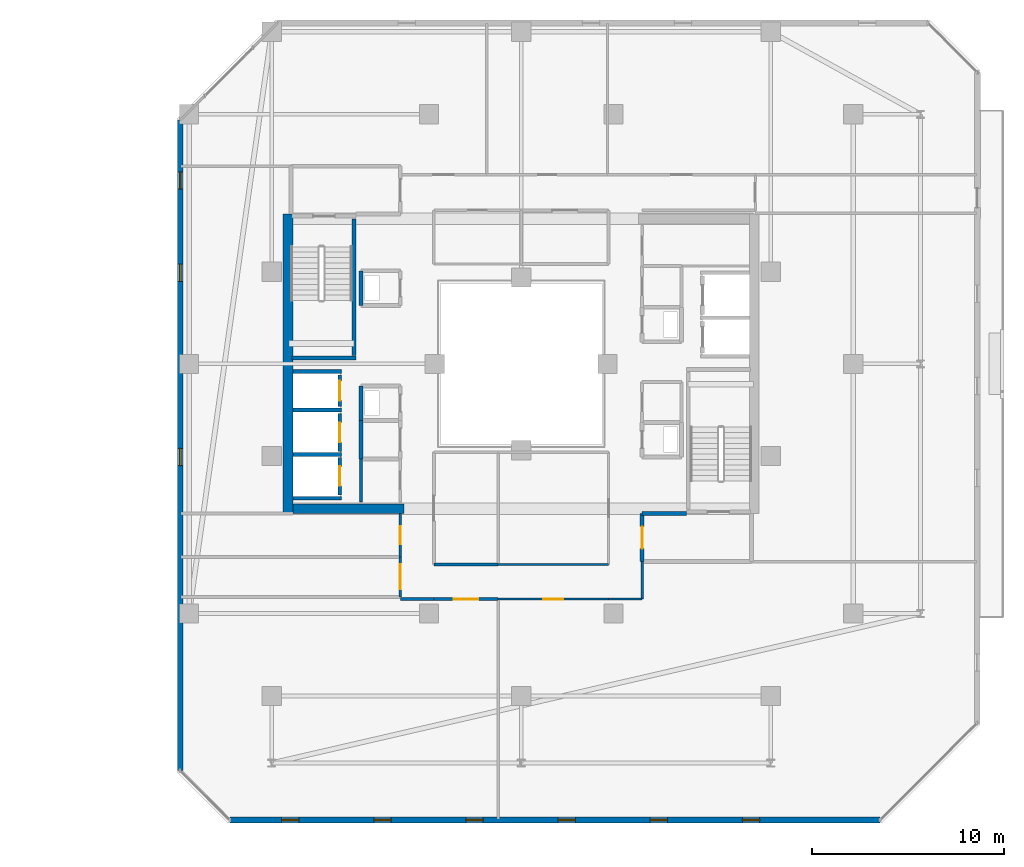
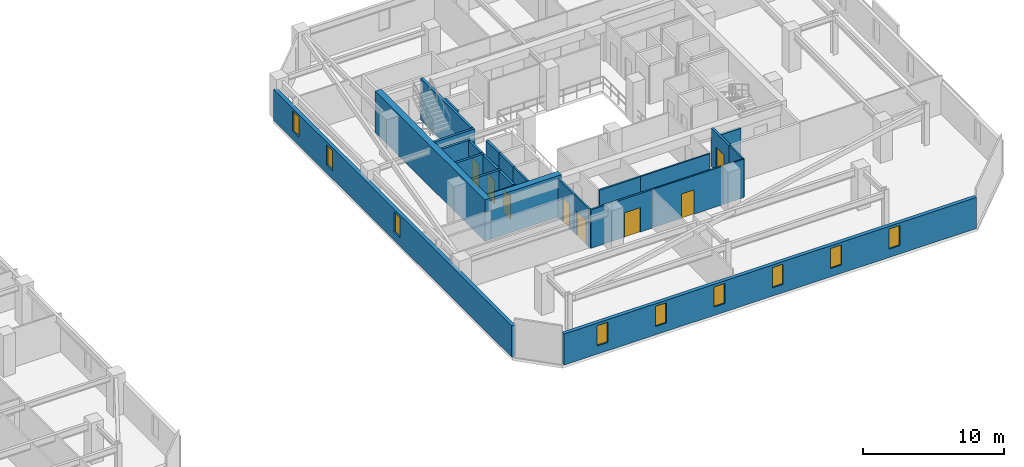
# One storey, part 22 of 32: 28 walls, 9 windows, 8 doors, 17 openings.
"""IFC4 building model written with IfcOpenShell, lengths in metres."""

from ifc_helpers import new_model, si_unit, direction, frame, frame_2d, origin, place, context, subcontext, project, spatial, rectangle, extrude, material, layer, layer_set, type_object, element, fill, save


model = new_model("IFC4")

# Units and contexts
model_context = context("Model", 3, precision=1e-05, world=origin(), true_north=direction((0.0, 1.0)))
body_context = subcontext(model_context, "Body", "Model", "MODEL_VIEW")
ifc_project = project(units=[si_unit("LENGTHUNIT", "METRE"), si_unit("AREAUNIT", "SQUARE_METRE"), si_unit("VOLUMEUNIT", "CUBIC_METRE"), si_unit("PLANEANGLEUNIT", "RADIAN"), si_unit("MASSUNIT", "GRAM", prefix="KILO")], contexts=[model_context])

# Site, building, storey
site_placement = place(None, origin())
site = spatial("IfcSite", under=ifc_project, at=site_placement, CompositionType="ELEMENT")
building_placement = place(site_placement, origin())
building = spatial("IfcBuilding", under=site, at=building_placement, Name="Thornwick Lancets Civic Towers", CompositionType="ELEMENT")
storey_placement = place(building_placement, frame((0.0, 0.0, 243.89990234375)))
storey = spatial("IfcBuildingStorey", under=building, at=storey_placement, Name="L65", CompositionType="ELEMENT", Elevation=243.89990234375)

# Wall, opening, door
ifc_material_1 = material(Name="Concrete blockwork C40/50", Category="masonry")
ifc_layer_1 = layer(ifc_material_1, 0.199951171875, Name="Concrete blockwork C40/50")
ifc_layer_set_1 = layer_set([ifc_layer_1], Name="Concrete blockwork C40/50")
wall_type_1 = type_object("IfcWallType", Name="WALL_COMP_200", PredefinedType="STANDARD", material=ifc_layer_set_1)
wall_1_placement = place(storey_placement, frame((79.050048828125, 24.780029296875, 0.0), z_axis=(0.0, 0.0, 1.0), x_axis=(0.0, 1.0, 0.0)))
wall_1 = element("IfcWall", 1, at=wall_1_placement, inside=storey, type_object=wall_type_1, Name="L65 Hoistway Front Wall FL-B2", PredefinedType="STANDARD", context=body_context, shape_type="SweptSolid", body=[
    extrude(rectangle(XDim=1.639892578125, YDim=0.199951171875, at=frame_2d((0.81982421875, 0.0))), origin(), (0.0, 0.0, 1.0), 3.340087890625),
])
opening_1_placement = place(wall_1_placement, frame((0.31005859375, 0.0, 0.0)))
opening_1 = element("IfcOpeningElement", 2, at=opening_1_placement, cuts=wall_1, Name="Opening LD-FL-B2", PredefinedType="OPENING", context=body_context, shape_type="SweptSolid", body=[
    extrude(rectangle(XDim=1.02001953125, YDim=2.06005859375, at=frame_2d((0.510009765625, 1.030029296875))), frame((0.0, 0.10986328125, 0.0), z_axis=(0.0, -1.0, 0.0), x_axis=(1.0, 0.0, 0.0)), (0.0, 0.0, 1.0), 0.219970703125),
])
ifc_material_2 = material(Name="Brushed bronze stainless steel", Category="steel")
door_type_1 = type_object("IfcDoorType", Name="DOOR_LIFT_SLIDE", OperationType="SLIDING_TO_LEFT", PredefinedType="DOOR", material=ifc_material_2)
door_1_placement = place(opening_1_placement, origin())
door_1 = element("IfcDoor", 3, at=door_1_placement, inside=storey, type_object=door_type_1, Name="L65 Sliding Lift Landing Door LD-FL-B2", OperationType="SLIDING_TO_LEFT", OverallHeight=2.06005859375, OverallWidth=1.02001953125, PredefinedType="DOOR", context=body_context, shape_type="SweptSolid", body=[
    extrude(rectangle(XDim=1.02001953125, YDim=2.06005859375, at=frame_2d((0.510009765625, 1.030029296875))), frame((0.0, 0.02490234375, 0.0), z_axis=(0.0, -1.0, 0.0), x_axis=(1.0, 0.0, 0.0)), (0.0, 0.0, 1.0), 0.050048828125),
])
fill(opening_1, door_1)

wall_2_placement = place(storey_placement, frame((79.050048828125, 22.429931640625, 0.0), z_axis=(0.0, 0.0, 1.0), x_axis=(0.0, 1.0, 0.0)))
wall_2 = element("IfcWall", 4, at=wall_2_placement, inside=storey, type_object=wall_type_1, Name="L65 Hoistway Front Wall PL-BH2", PredefinedType="STANDARD", context=body_context, shape_type="SweptSolid", body=[
    extrude(rectangle(XDim=1.989990234375, YDim=0.199951171875, at=frame_2d((0.9951171875, 0.0))), origin(), (0.0, 0.0, 1.0), 3.340087890625),
])
opening_2_placement = place(wall_2_placement, frame((0.485107421875, 0.0, 0.0)))
opening_2 = element("IfcOpeningElement", 5, at=opening_2_placement, cuts=wall_2, Name="Opening LD-PL-BH2", PredefinedType="OPENING", context=body_context, shape_type="SweptSolid", body=[
    extrude(rectangle(XDim=1.02001953125, YDim=2.06005859375, at=frame_2d((0.510009765625, 1.030029296875))), frame((0.0, 0.10986328125, 0.0), z_axis=(0.0, -1.0, 0.0), x_axis=(1.0, 0.0, 0.0)), (0.0, 0.0, 1.0), 0.219970703125),
])
door_2_placement = place(opening_2_placement, origin())
door_2 = element("IfcDoor", 6, at=door_2_placement, inside=storey, type_object=door_type_1, Name="L65 Sliding Lift Landing Door LD-PL-BH2", OperationType="SLIDING_TO_LEFT", OverallHeight=2.06005859375, OverallWidth=1.02001953125, PredefinedType="DOOR", context=body_context, shape_type="SweptSolid", body=[
    extrude(rectangle(XDim=1.02001953125, YDim=2.06005859375, at=frame_2d((0.510009765625, 1.030029296875))), frame((0.0, 0.02490234375, 0.0), z_axis=(0.0, -1.0, 0.0), x_axis=(1.0, 0.0, 0.0)), (0.0, 0.0, 1.0), 0.050048828125),
])
fill(opening_2, door_2)

wall_3_placement = place(storey_placement, frame((79.050048828125, 20.179931640625, 0.0), z_axis=(0.0, 0.0, 1.0), x_axis=(0.0, 1.0, 0.0)))
wall_3 = element("IfcWall", 7, at=wall_3_placement, inside=storey, type_object=wall_type_1, Name="L65 Hoistway Front Wall PL-BH3", PredefinedType="STANDARD", context=body_context, shape_type="SweptSolid", body=[
    extrude(rectangle(XDim=1.940185546875, YDim=0.199951171875, at=frame_2d((0.97021484375, 0.0))), origin(), (0.0, 0.0, 1.0), 3.340087890625),
])
opening_3_placement = place(wall_3_placement, frame((0.4599609375, 0.0, 0.0)))
opening_3 = element("IfcOpeningElement", 8, at=opening_3_placement, cuts=wall_3, Name="Opening LD-PL-BH3", PredefinedType="OPENING", context=body_context, shape_type="SweptSolid", body=[
    extrude(rectangle(XDim=1.02001953125, YDim=2.06005859375, at=frame_2d((0.510009765625, 1.030029296875))), frame((0.0, 0.10986328125, 0.0), z_axis=(0.0, -1.0, 0.0), x_axis=(1.0, 0.0, 0.0)), (0.0, 0.0, 1.0), 0.219970703125),
])
door_3_placement = place(opening_3_placement, origin())
door_3 = element("IfcDoor", 9, at=door_3_placement, inside=storey, type_object=door_type_1, Name="L65 Sliding Lift Landing Door LD-PL-BH3", OperationType="SLIDING_TO_LEFT", OverallHeight=2.06005859375, OverallWidth=1.02001953125, PredefinedType="DOOR", context=body_context, shape_type="SweptSolid", body=[
    extrude(rectangle(XDim=1.02001953125, YDim=2.06005859375, at=frame_2d((0.510009765625, 1.030029296875))), frame((0.0, 0.02490234375, 0.0), z_axis=(0.0, -1.0, 0.0), x_axis=(1.0, 0.0, 0.0)), (0.0, 0.0, 1.0), 0.050048828125),
])
fill(opening_3, door_3)

# Walls
for number, where, z_axis, x_axis, name in (
    (10, (76.612060546875, 26.60009765625, 0.0), (0.0, 0.0, 1.0), (1.0, 0.0, 0.0), "L65 Hoistway Shaft Wall FL-B2 N"),
    (11, (76.612060546875, 24.60009765625, 0.0), (0.0, 0.0, 1.0), (1.0, 0.0, 0.0), "L65 Hoistway Shaft Wall FL-B2 S"),
    (12, (76.612060546875, 22.27490234375, 0.0), (0.0, 0.0, 1.0), (1.0, 0.0, 0.0), "L65 Hoistway Shaft Wall PL-BH2 S"),
    (13, (76.612060546875, 20.0, 0.0), (0.0, 0.0, 1.0), (1.0, 0.0, 0.0), "L65 Hoistway Shaft Wall PL-BH3 S"),
):
    element("IfcWall", number, at=place(storey_placement, frame(where, z_axis=z_axis, x_axis=x_axis)), inside=storey, type_object=wall_type_1, Name=name, PredefinedType="STANDARD", context=body_context, shape_type="SweptSolid", body=[
        extrude(rectangle(XDim=2.535888671875, YDim=0.199951171875, at=frame_2d((1.26806640625, 0.0))), origin(), (0.0, 0.0, 1.0), 3.340087890625),
    ])
wall_4_placement = place(storey_placement, frame((97.10009765625, 19.199951171875, 0.0), z_axis=(0.0, 0.0, 1.0), x_axis=(-1.0, 0.0, 0.0)))
element("IfcWall", 14, at=wall_4_placement, inside=storey, type_object=wall_type_1, Name="L65 Partition L65-B-FFLOB1 E3", PredefinedType="STANDARD", context=body_context, shape_type="SweptSolid", body=[
    extrude(rectangle(XDim=2.300048828125, YDim=0.199951171875, at=frame_2d((1.14990234375, 0.0))), origin(), (0.0, 0.0, 1.0), 2.545166015625),
])

# Wall, opening, door
wall_5_placement = place(storey_placement, frame((94.800048828125, 19.199951171875, 0.0), z_axis=(0.0, 0.0, 1.0), x_axis=(0.0, -1.0, 0.0)))
wall_5 = element("IfcWall", 15, at=wall_5_placement, inside=storey, type_object=wall_type_1, Name="L65 Partition L65-B-FFLOB1 E4", PredefinedType="STANDARD", context=body_context, shape_type="SweptSolid", body=[
    extrude(rectangle(XDim=2.5, YDim=0.199951171875, at=frame_2d((1.25, 0.0))), origin(), (0.0, 0.0, 1.0), 3.340087890625),
])
opening_4_placement = place(wall_5_placement, frame((0.675048828125, 0.0, 0.0)))
opening_4 = element("IfcOpeningElement", 16, at=opening_4_placement, cuts=wall_5, Name="Opening D-L65-2934", PredefinedType="OPENING", context=body_context, shape_type="SweptSolid", body=[
    extrude(rectangle(XDim=1.14990234375, YDim=2.10009765625, at=frame_2d((0.574951171875, 1.050048828125))), frame((0.0, 0.10986328125, 0.0), z_axis=(0.0, -1.0, 0.0), x_axis=(1.0, 0.0, 0.0)), (0.0, 0.0, 1.0), 0.219970703125),
])
ifc_material_3 = material(Name="Glazed fire-resisting steel", Category="steel")
door_type_2 = type_object("IfcDoorType", Name="DOOR_LOBBY_FD60", OperationType="NOTDEFINED", PredefinedType="DOOR", material=ifc_material_3)
door_4_placement = place(opening_4_placement, origin())
door_4 = element("IfcDoor", 17, at=door_4_placement, inside=storey, type_object=door_type_2, Name="L65 East Firefighting Lobby 1 Door", OperationType="SINGLE_SWING_LEFT", OverallHeight=2.10009765625, OverallWidth=1.14990234375, PredefinedType="DOOR", context=body_context, shape_type="SweptSolid", body=[
    extrude(rectangle(XDim=1.14990234375, YDim=2.10009765625, at=frame_2d((0.574951171875, 1.050048828125))), frame((0.0, 0.02490234375, 0.0), z_axis=(0.0, -1.0, 0.0), x_axis=(1.0, 0.0, 0.0)), (0.0, 0.0, 1.0), 0.050048828125),
])
fill(opening_4, door_4)

# Walls
for number, where, z_axis, x_axis, name in (
    (18, (80.14990234375, 25.85009765625, 0.0), (0.0, 0.0, 1.0), (0.0, -1.0, 0.0), "L65 Partition L65-B-DUCT2 E4"),
    (19, (80.14990234375, 31.85009765625, 0.0), (0.0, 0.0, 1.0), (0.0, -1.0, 0.0), "L65 Partition L65-B-RISER2 E4"),
):
    element("IfcWall", number, at=place(storey_placement, frame(where, z_axis=z_axis, x_axis=x_axis)), inside=storey, type_object=wall_type_1, Name=name, PredefinedType="STANDARD", context=body_context, shape_type="SweptSolid", body=[
        extrude(rectangle(XDim=1.800048828125, YDim=0.199951171875, at=frame_2d((0.89990234375, 0.0))), origin(), (0.0, 0.0, 1.0), 3.340087890625),
    ])
wall_6_placement = place(storey_placement, frame((80.14990234375, 22.050048828125, 0.0), z_axis=(0.0, 0.0, 1.0), x_axis=(0.0, 1.0, 0.0)))
element("IfcWall", 20, at=wall_6_placement, inside=storey, type_object=wall_type_1, Name="L65 Partition L65-B-STR E1", PredefinedType="STANDARD", context=body_context, shape_type="SweptSolid", body=[
    extrude(rectangle(XDim=2.0, YDim=0.199951171875, at=frame_2d((1.0, 0.0))), origin(), (0.0, 0.0, 1.0), 3.340087890625),
])
ifc_material_4 = material(Name="Concrete C50/60", Category="concrete")
ifc_layer_2 = layer(ifc_material_4, 0.5, Name="Concrete C50/60")
ifc_layer_set_2 = layer_set([ifc_layer_2], Name="Concrete C50/60")
wall_type_2 = type_object("IfcWallType", Name="WALL_CORE_500", PredefinedType="SHEAR", material=ifc_layer_set_2)
wall_7_placement = place(storey_placement, frame((76.35009765625, 19.199951171875, 0.0), z_axis=(0.0, 0.0, 1.0), x_axis=(0.0, 1.0, 0.0)))
element("IfcWall", 21, at=wall_7_placement, inside=storey, type_object=wall_type_2, Name="L65 Split Core B2 Shear Wall W", PredefinedType="SHEAR", context=body_context, shape_type="SweptSolid", body=[
    extrude(rectangle(XDim=15.60009765625, YDim=0.5, at=frame_2d((7.800048828125, 0.0))), origin(), (0.0, 0.0, 1.0), 3.60009765625),
])
wall_8_placement = place(storey_placement, frame((76.60009765625, 19.449951171875, 0.0), z_axis=(0.0, 0.0, 1.0), x_axis=(1.0, 0.0, 0.0)))
element("IfcWall", 22, at=wall_8_placement, inside=storey, type_object=wall_type_2, Name="L65 Split Core B2 Shear Wall S", PredefinedType="SHEAR", context=body_context, shape_type="SweptSolid", body=[
    extrude(rectangle(XDim=5.7998046875, YDim=0.5, at=frame_2d((2.89990234375, 0.0))), origin(), (0.0, 0.0, 1.0), 3.60009765625),
])

# Wall, openings, windows
ifc_material_5 = material(Name="Insulated russet terracotta rainscreen on concrete C40/50", Category="masonry")
ifc_layer_3 = layer(ifc_material_5, 0.300048828125, Name="Insulated russet terracotta rainscreen on concrete C40/50")
ifc_layer_set_3 = layer_set([ifc_layer_3], Name="Insulated russet terracotta rainscreen on concrete C40/50")
wall_type_3 = type_object("IfcWallType", Name="WALL_EXT_RUSSET_300", PredefinedType="STANDARD", material=ifc_layer_set_3)
wall_9_placement = place(storey_placement, frame((73.318603515625, 3.2353515625, 0.0), z_axis=(0.0, 0.0, 1.0), x_axis=(0.999999969988, 0.000244999128, 0.0)))
wall_9 = element("IfcWall", 23, at=wall_9_placement, inside=storey, type_object=wall_type_3, Name="L65 Tower B Terracotta Facade Wall E0", PredefinedType="STANDARD", context=body_context, shape_type="SweptSolid", body=[
    extrude(rectangle(XDim=33.880859375, YDim=0.300048828125, at=frame_2d((16.9404296875, 0.0))), origin(), (0.0, 0.0, 1.0), 2.7001953125),
])
opening_5_placement = place(wall_9_placement, frame((2.699951171875, 0.0, 0.719970703125)))
opening_5 = element("IfcOpeningElement", 24, at=opening_5_placement, cuts=wall_9, Name="Opening WL-01", PredefinedType="OPENING", context=body_context, shape_type="SweptSolid", body=[
    extrude(rectangle(XDim=0.89990234375, YDim=1.75, at=frame_2d((0.449951171875, 0.875))), frame((0.0, 0.16015625, 0.0), z_axis=(0.0, -1.0, 0.0), x_axis=(1.0, 0.0, 0.0)), (0.0, 0.0, 1.0), 0.320068359375),
])
opening_6_placement = place(wall_9_placement, frame((7.5, 0.0, 0.719970703125)))
opening_6 = element("IfcOpeningElement", 25, at=opening_6_placement, cuts=wall_9, Name="Opening WL-01", PredefinedType="OPENING", context=body_context, shape_type="SweptSolid", body=[
    extrude(rectangle(XDim=0.89990234375, YDim=1.75, at=frame_2d((0.449951171875, 0.875))), frame((0.0, 0.16015625, 0.0), z_axis=(0.0, -1.0, 0.0), x_axis=(1.0, 0.0, 0.0)), (0.0, 0.0, 1.0), 0.320068359375),
])
opening_7_placement = place(wall_9_placement, frame((12.300048828125, 0.0, 0.719970703125)))
opening_7 = element("IfcOpeningElement", 26, at=opening_7_placement, cuts=wall_9, Name="Opening WL-01", PredefinedType="OPENING", context=body_context, shape_type="SweptSolid", body=[
    extrude(rectangle(XDim=0.89990234375, YDim=1.75, at=frame_2d((0.449951171875, 0.875))), frame((0.0, 0.16015625, 0.0), z_axis=(0.0, -1.0, 0.0), x_axis=(1.0, 0.0, 0.0)), (0.0, 0.0, 1.0), 0.320068359375),
])
opening_8_placement = place(wall_9_placement, frame((17.10009765625, 0.0, 0.719970703125)))
opening_8 = element("IfcOpeningElement", 27, at=opening_8_placement, cuts=wall_9, Name="Opening WL-01", PredefinedType="OPENING", context=body_context, shape_type="SweptSolid", body=[
    extrude(rectangle(XDim=0.89990234375, YDim=1.75, at=frame_2d((0.449951171875, 0.875))), frame((0.0, 0.16015625, 0.0), z_axis=(0.0, -1.0, 0.0), x_axis=(1.0, 0.0, 0.0)), (0.0, 0.0, 1.0), 0.320068359375),
])
opening_9_placement = place(wall_9_placement, frame((21.89990234375, 0.0, 0.719970703125)))
opening_9 = element("IfcOpeningElement", 28, at=opening_9_placement, cuts=wall_9, Name="Opening WL-01", PredefinedType="OPENING", context=body_context, shape_type="SweptSolid", body=[
    extrude(rectangle(XDim=0.89990234375, YDim=1.75, at=frame_2d((0.449951171875, 0.875))), frame((0.0, 0.16015625, 0.0), z_axis=(0.0, -1.0, 0.0), x_axis=(1.0, 0.0, 0.0)), (0.0, 0.0, 1.0), 0.320068359375),
])
opening_10_placement = place(wall_9_placement, frame((26.699951171875, 0.0, 0.719970703125)))
opening_10 = element("IfcOpeningElement", 29, at=opening_10_placement, cuts=wall_9, Name="Opening WL-01", PredefinedType="OPENING", context=body_context, shape_type="SweptSolid", body=[
    extrude(rectangle(XDim=0.89990234375, YDim=1.75, at=frame_2d((0.449951171875, 0.875))), frame((0.0, 0.16015625, 0.0), z_axis=(0.0, -1.0, 0.0), x_axis=(1.0, 0.0, 0.0)), (0.0, 0.0, 1.0), 0.320068359375),
])
ifc_material_6 = material(Name="Clear low-e double glazing in bronze frame", Category="glass")
window_type = type_object("IfcWindowType", Name="WIN_LANCET_900", PartitioningType="SINGLE_PANEL", PredefinedType="WINDOW", material=ifc_material_6)
window_1_placement = place(opening_5_placement, origin())
window_1 = element("IfcWindow", 30, at=window_1_placement, inside=storey, type_object=window_type, Name="L65 Tower B Staggered Lancet Window E0-1", OverallHeight=1.75, OverallWidth=0.89990234375, PartitioningType="SINGLE_PANEL", PredefinedType="WINDOW", context=body_context, shape_type="SweptSolid", body=[
    extrude(rectangle(XDim=0.89990234375, YDim=1.75, at=frame_2d((0.449951171875, 0.875))), frame((0.0, 0.030029296875, 0.0), z_axis=(0.0, -1.0, 0.0), x_axis=(1.0, 0.0, 0.0)), (0.0, 0.0, 1.0), 0.06005859375),
])
fill(opening_5, window_1)
window_2_placement = place(opening_6_placement, origin())
window_2 = element("IfcWindow", 31, at=window_2_placement, inside=storey, type_object=window_type, Name="L65 Tower B Staggered Lancet Window E0-2", OverallHeight=1.75, OverallWidth=0.89990234375, PartitioningType="SINGLE_PANEL", PredefinedType="WINDOW", context=body_context, shape_type="SweptSolid", body=[
    extrude(rectangle(XDim=0.89990234375, YDim=1.75, at=frame_2d((0.449951171875, 0.875))), frame((0.0, 0.030029296875, 0.0), z_axis=(0.0, -1.0, 0.0), x_axis=(1.0, 0.0, 0.0)), (0.0, 0.0, 1.0), 0.06005859375),
])
fill(opening_6, window_2)
window_3_placement = place(opening_7_placement, origin())
window_3 = element("IfcWindow", 32, at=window_3_placement, inside=storey, type_object=window_type, Name="L65 Tower B Staggered Lancet Window E0-3", OverallHeight=1.75, OverallWidth=0.89990234375, PartitioningType="SINGLE_PANEL", PredefinedType="WINDOW", context=body_context, shape_type="SweptSolid", body=[
    extrude(rectangle(XDim=0.89990234375, YDim=1.75, at=frame_2d((0.449951171875, 0.875))), frame((0.0, 0.030029296875, 0.0), z_axis=(0.0, -1.0, 0.0), x_axis=(1.0, 0.0, 0.0)), (0.0, 0.0, 1.0), 0.06005859375),
])
fill(opening_7, window_3)
window_4_placement = place(opening_8_placement, origin())
window_4 = element("IfcWindow", 33, at=window_4_placement, inside=storey, type_object=window_type, Name="L65 Tower B Staggered Lancet Window E0-4", OverallHeight=1.75, OverallWidth=0.89990234375, PartitioningType="SINGLE_PANEL", PredefinedType="WINDOW", context=body_context, shape_type="SweptSolid", body=[
    extrude(rectangle(XDim=0.89990234375, YDim=1.75, at=frame_2d((0.449951171875, 0.875))), frame((0.0, 0.030029296875, 0.0), z_axis=(0.0, -1.0, 0.0), x_axis=(1.0, 0.0, 0.0)), (0.0, 0.0, 1.0), 0.06005859375),
])
fill(opening_8, window_4)
window_5_placement = place(opening_9_placement, origin())
window_5 = element("IfcWindow", 34, at=window_5_placement, inside=storey, type_object=window_type, Name="L65 Tower B Staggered Lancet Window E0-5", OverallHeight=1.75, OverallWidth=0.89990234375, PartitioningType="SINGLE_PANEL", PredefinedType="WINDOW", context=body_context, shape_type="SweptSolid", body=[
    extrude(rectangle(XDim=0.89990234375, YDim=1.75, at=frame_2d((0.449951171875, 0.875))), frame((0.0, 0.030029296875, 0.0), z_axis=(0.0, -1.0, 0.0), x_axis=(1.0, 0.0, 0.0)), (0.0, 0.0, 1.0), 0.06005859375),
])
fill(opening_9, window_5)
window_6_placement = place(opening_10_placement, origin())
window_6 = element("IfcWindow", 35, at=window_6_placement, inside=storey, type_object=window_type, Name="L65 Tower B Staggered Lancet Window E0-6", OverallHeight=1.75, OverallWidth=0.89990234375, PartitioningType="SINGLE_PANEL", PredefinedType="WINDOW", context=body_context, shape_type="SweptSolid", body=[
    extrude(rectangle(XDim=0.89990234375, YDim=1.75, at=frame_2d((0.449951171875, 0.875))), frame((0.0, 0.030029296875, 0.0), z_axis=(0.0, -1.0, 0.0), x_axis=(1.0, 0.0, 0.0)), (0.0, 0.0, 1.0), 0.06005859375),
])
fill(opening_10, window_6)

wall_10_placement = place(storey_placement, frame((70.74365234375, 39.699462890625, 0.0), z_axis=(0.0, 0.0, 1.0), x_axis=(-0.000244999128, -0.999999969988, 0.0)))
wall_10 = element("IfcWall", 36, at=wall_10_placement, inside=storey, type_object=wall_type_3, Name="L65 Tower B Terracotta Facade Wall E6", PredefinedType="STANDARD", context=body_context, shape_type="SweptSolid", body=[
    extrude(rectangle(XDim=33.880859375, YDim=0.300048828125, at=frame_2d((16.9404296875, 0.0))), origin(), (0.0, 0.0, 1.0), 2.7001953125),
])
opening_11_placement = place(wall_10_placement, frame((2.699951171875, 0.0, 0.719970703125)))
opening_11 = element("IfcOpeningElement", 37, at=opening_11_placement, cuts=wall_10, Name="Opening WL-01", PredefinedType="OPENING", context=body_context, shape_type="SweptSolid", body=[
    extrude(rectangle(XDim=0.89990234375, YDim=1.75, at=frame_2d((0.449951171875, 0.875))), frame((0.0, 0.16015625, 0.0), z_axis=(0.0, -1.0, 0.0), x_axis=(1.0, 0.0, 0.0)), (0.0, 0.0, 1.0), 0.320068359375),
])
opening_12_placement = place(wall_10_placement, frame((7.5, 0.0, 0.719970703125)))
opening_12 = element("IfcOpeningElement", 38, at=opening_12_placement, cuts=wall_10, Name="Opening WL-01", PredefinedType="OPENING", context=body_context, shape_type="SweptSolid", body=[
    extrude(rectangle(XDim=0.89990234375, YDim=1.75, at=frame_2d((0.449951171875, 0.875))), frame((0.0, 0.16015625, 0.0), z_axis=(0.0, -1.0, 0.0), x_axis=(1.0, 0.0, 0.0)), (0.0, 0.0, 1.0), 0.320068359375),
])
opening_13_placement = place(wall_10_placement, frame((17.10009765625, 0.0, 0.719970703125)))
opening_13 = element("IfcOpeningElement", 39, at=opening_13_placement, cuts=wall_10, Name="Opening WL-01", PredefinedType="OPENING", context=body_context, shape_type="SweptSolid", body=[
    extrude(rectangle(XDim=0.89990234375, YDim=1.75, at=frame_2d((0.449951171875, 0.875))), frame((0.0, 0.16015625, 0.0), z_axis=(0.0, -1.0, 0.0), x_axis=(1.0, 0.0, 0.0)), (0.0, 0.0, 1.0), 0.320068359375),
])
window_7_placement = place(opening_11_placement, origin())
window_7 = element("IfcWindow", 40, at=window_7_placement, inside=storey, type_object=window_type, Name="L65 Tower B Staggered Lancet Window E6-1", OverallHeight=1.75, OverallWidth=0.89990234375, PartitioningType="SINGLE_PANEL", PredefinedType="WINDOW", context=body_context, shape_type="SweptSolid", body=[
    extrude(rectangle(XDim=0.89990234375, YDim=1.75, at=frame_2d((0.449951171875, 0.875))), frame((0.0, 0.030029296875, 0.0), z_axis=(0.0, -1.0, 0.0), x_axis=(1.0, 0.0, 0.0)), (0.0, 0.0, 1.0), 0.06005859375),
])
fill(opening_11, window_7)
window_8_placement = place(opening_12_placement, origin())
window_8 = element("IfcWindow", 41, at=window_8_placement, inside=storey, type_object=window_type, Name="L65 Tower B Staggered Lancet Window E6-2", OverallHeight=1.75, OverallWidth=0.89990234375, PartitioningType="SINGLE_PANEL", PredefinedType="WINDOW", context=body_context, shape_type="SweptSolid", body=[
    extrude(rectangle(XDim=0.89990234375, YDim=1.75, at=frame_2d((0.449951171875, 0.875))), frame((0.0, 0.030029296875, 0.0), z_axis=(0.0, -1.0, 0.0), x_axis=(1.0, 0.0, 0.0)), (0.0, 0.0, 1.0), 0.06005859375),
])
fill(opening_12, window_8)
window_9_placement = place(opening_13_placement, origin())
window_9 = element("IfcWindow", 42, at=window_9_placement, inside=storey, type_object=window_type, Name="L65 Tower B Staggered Lancet Window E6-3", OverallHeight=1.75, OverallWidth=0.89990234375, PartitioningType="SINGLE_PANEL", PredefinedType="WINDOW", context=body_context, shape_type="SweptSolid", body=[
    extrude(rectangle(XDim=0.89990234375, YDim=1.75, at=frame_2d((0.449951171875, 0.875))), frame((0.0, 0.030029296875, 0.0), z_axis=(0.0, -1.0, 0.0), x_axis=(1.0, 0.0, 0.0)), (0.0, 0.0, 1.0), 0.06005859375),
])
fill(opening_13, window_9)

# Wall, opening, door
ifc_material_7 = material(Name="Acoustic gypsum board partition")
ifc_layer_4 = layer(ifc_material_7, 0.1201171875, Name="Acoustic gypsum board partition")
ifc_layer_set_4 = layer_set([ifc_layer_4], Name="Acoustic gypsum board partition")
wall_type_4 = type_object("IfcWallType", Name="WALL_PART_120", PredefinedType="PARTITIONING", material=ifc_layer_set_4)
wall_11_placement = place(storey_placement, frame((87.300048828125, 14.75, 0.0), z_axis=(0.0, 0.0, 1.0), x_axis=(1.0, 0.0, 0.0)))
wall_11 = element("IfcWall", 43, at=wall_11_placement, inside=storey, type_object=wall_type_4, Name="L65 Partition L65-B-W1 E3", PredefinedType="PARTITIONING", context=body_context, shape_type="SweptSolid", body=[
    extrude(rectangle(XDim=5.75, YDim=0.1201171875, at=frame_2d((2.875, 0.0))), origin(), (0.0, 0.0, 1.0), 3.340087890625),
])
opening_14_placement = place(wall_11_placement, frame((2.35009765625, 0.0, 0.0)))
opening_14 = element("IfcOpeningElement", 44, at=opening_14_placement, cuts=wall_11, Name="Opening D-L65-2960", PredefinedType="OPENING", context=body_context, shape_type="SweptSolid", body=[
    extrude(rectangle(XDim=1.050048828125, YDim=2.10009765625, at=frame_2d((0.52490234375, 1.050048828125))), frame((0.0, 0.070068359375, 0.0), z_axis=(0.0, -1.0, 0.0), x_axis=(1.0, 0.0, 0.0)), (0.0, 0.0, 1.0), 0.14013671875),
])
ifc_material_8 = material(Name="Glazed European oak executive doorset")
door_type_3 = type_object("IfcDoorType", Name="DOOR_OFFICE_1050", OperationType="NOTDEFINED", PredefinedType="DOOR", material=ifc_material_8)
door_5_placement = place(opening_14_placement, origin())
door_5 = element("IfcDoor", 45, at=door_5_placement, inside=storey, type_object=door_type_3, Name="L65 Tower B Ministry Directorate Office W1 Door", OperationType="SINGLE_SWING_LEFT", OverallHeight=2.10009765625, OverallWidth=1.050048828125, PredefinedType="DOOR", context=body_context, shape_type="SweptSolid", body=[
    extrude(rectangle(XDim=1.050048828125, YDim=2.10009765625, at=frame_2d((0.52490234375, 1.050048828125))), frame((0.0, 0.02490234375, 0.0), z_axis=(0.0, -1.0, 0.0), x_axis=(1.0, 0.0, 0.0)), (0.0, 0.0, 1.0), 0.050048828125),
])
fill(opening_14, door_5)

# Walls
wall_12_placement = place(storey_placement, frame((93.050048828125, 14.75, 0.0), z_axis=(0.0, 0.0, 1.0), x_axis=(1.0, 0.0, 0.0)))
element("IfcWall", 46, at=wall_12_placement, inside=storey, type_object=wall_type_4, Name="L65 Partition L65-B-W1 E4", PredefinedType="PARTITIONING", context=body_context, shape_type="SweptSolid", body=[
    extrude(rectangle(XDim=1.75, YDim=0.1201171875, at=frame_2d((0.875, 0.0))), origin(), (0.0, 0.0, 1.0), 3.340087890625),
])
wall_13_placement = place(storey_placement, frame((94.800048828125, 14.75, 0.0), z_axis=(0.0, 0.0, 1.0), x_axis=(0.0, 1.0, 0.0)))
element("IfcWall", 47, at=wall_13_placement, inside=storey, type_object=wall_type_4, Name="L65 Partition L65-B-W1 E5", PredefinedType="PARTITIONING", context=body_context, shape_type="SweptSolid", body=[
    extrude(rectangle(XDim=1.949951171875, YDim=0.1201171875, at=frame_2d((0.97509765625, 0.0))), origin(), (0.0, 0.0, 1.0), 3.340087890625),
])
wall_14_placement = place(storey_placement, frame((93.050048828125, 16.550048828125, 0.0), z_axis=(0.0, 0.0, 1.0), x_axis=(-1.0, 0.0, 0.0)))
element("IfcWall", 48, at=wall_14_placement, inside=storey, type_object=wall_type_4, Name="L65 Partition L65-B-W3 E4", PredefinedType="PARTITIONING", context=body_context, shape_type="SweptSolid", body=[
    extrude(rectangle(XDim=5.75, YDim=0.1201171875, at=frame_2d((2.875, 0.0))), origin(), (0.0, 0.0, 1.0), 3.340087890625),
])
ifc_material_9 = material(Name="Twin-stud acoustic gypsum board")
ifc_layer_5 = layer(ifc_material_9, 0.14990234375, Name="Twin-stud acoustic gypsum board")
ifc_layer_set_5 = layer_set([ifc_layer_5], Name="Twin-stud acoustic gypsum board")
wall_type_5 = type_object("IfcWallType", Name="WALL_PART_150", PredefinedType="PARTITIONING", material=ifc_layer_set_5)
wall_15_placement = place(storey_placement, frame((80.14990234375, 22.050048828125, 0.0), z_axis=(0.0, 0.0, 1.0), x_axis=(0.0, -1.0, 0.0)))
element("IfcWall", 49, at=wall_15_placement, inside=storey, type_object=wall_type_5, Name="L65 Partition L65-B-AWC E4", PredefinedType="PARTITIONING", context=body_context, shape_type="SweptSolid", body=[
    extrude(rectangle(XDim=2.25, YDim=0.14990234375, at=frame_2d((1.125, 0.0))), origin(), (0.0, 0.0, 1.0), 3.340087890625),
])

# Wall, opening, door
wall_16_placement = place(storey_placement, frame((82.199951171875, 16.949951171875, 0.0), z_axis=(0.0, 0.0, 1.0), x_axis=(0.0, -1.0, 0.0)))
wall_16 = element("IfcWall", 50, at=wall_16_placement, inside=storey, type_object=wall_type_5, Name="L65 Partition L65-B-RECLAIM-M1 E4", PredefinedType="PARTITIONING", context=body_context, shape_type="SweptSolid", body=[
    extrude(rectangle(XDim=2.099853515625, YDim=0.14990234375, at=frame_2d((1.0498046875, 0.0))), origin(), (0.0, 0.0, 1.0), 3.340087890625),
])
opening_15_placement = place(wall_16_placement, frame((0.39990234375, 0.0, 0.0)))
opening_15 = element("IfcOpeningElement", 51, at=opening_15_placement, cuts=wall_16, Name="Opening D-L65-2958", PredefinedType="OPENING", context=body_context, shape_type="SweptSolid", body=[
    extrude(rectangle(XDim=1.300048828125, YDim=2.1201171875, at=frame_2d((0.64990234375, 1.06005859375))), frame((0.0, 0.0849609375, 0.0), z_axis=(0.0, -1.0, 0.0), x_axis=(1.0, 0.0, 0.0)), (0.0, 0.0, 1.0), 0.169921875),
])
ifc_material_10 = material(Name="Acoustic oak leaf-and-a-half doorset")
door_type_4 = type_object("IfcDoorType", Name="DOOR_MEET_1300", OperationType="DOUBLE_DOOR_SINGLE_SWING", PredefinedType="DOOR", material=ifc_material_10)
door_6_placement = place(opening_15_placement, origin())
door_6 = element("IfcDoor", 52, at=door_6_placement, inside=storey, type_object=door_type_4, Name="L65 Tower B Diplomatic Conference Room Door", OperationType="DOUBLE_DOOR_SINGLE_SWING", OverallHeight=2.1201171875, OverallWidth=1.300048828125, PredefinedType="DOOR", context=body_context, shape_type="SweptSolid", body=[
    extrude(rectangle(XDim=1.300048828125, YDim=2.1201171875, at=frame_2d((0.64990234375, 1.06005859375))), frame((0.0, 0.02490234375, 0.0), z_axis=(0.0, -1.0, 0.0), x_axis=(1.0, 0.0, 0.0)), (0.0, 0.0, 1.0), 0.050048828125),
])
fill(opening_15, door_6)

wall_17_placement = place(storey_placement, frame((82.199951171875, 19.199951171875, 0.0), z_axis=(0.0, 0.0, 1.0), x_axis=(0.0, -1.0, 0.0)))
wall_17 = element("IfcWall", 53, at=wall_17_placement, inside=storey, type_object=wall_type_5, Name="L65 Partition L65-B-RECLAIM-M2 E4", PredefinedType="PARTITIONING", context=body_context, shape_type="SweptSolid", body=[
    extrude(rectangle(XDim=2.25, YDim=0.14990234375, at=frame_2d((1.125, 0.0))), origin(), (0.0, 0.0, 1.0), 3.340087890625),
])
opening_16_placement = place(wall_17_placement, frame((0.64990234375, 0.0, 0.0)))
opening_16 = element("IfcOpeningElement", 54, at=opening_16_placement, cuts=wall_17, Name="Opening D-L65-2959", PredefinedType="OPENING", context=body_context, shape_type="SweptSolid", body=[
    extrude(rectangle(XDim=0.949951171875, YDim=2.10009765625, at=frame_2d((0.47509765625, 1.050048828125))), frame((0.0, 0.0849609375, 0.0), z_axis=(0.0, -1.0, 0.0), x_axis=(1.0, 0.0, 0.0)), (0.0, 0.0, 1.0), 0.169921875),
])
ifc_material_11 = material(Name="European oak acoustic doorset")
door_type_5 = type_object("IfcDoorType", Name="DOOR_OFFICE_950", OperationType="NOTDEFINED", PredefinedType="DOOR", material=ifc_material_11)
door_7_placement = place(opening_16_placement, origin())
door_7 = element("IfcDoor", 55, at=door_7_placement, inside=storey, type_object=door_type_5, Name="L65 Tower B Executive Records Archive Door", OperationType="SINGLE_SWING_RIGHT", OverallHeight=2.10009765625, OverallWidth=0.949951171875, PredefinedType="DOOR", context=body_context, shape_type="SweptSolid", body=[
    extrude(rectangle(XDim=0.949951171875, YDim=2.10009765625, at=frame_2d((0.47509765625, 1.050048828125))), frame((0.0, 0.02490234375, 0.0), z_axis=(0.0, -1.0, 0.0), x_axis=(1.0, 0.0, 0.0)), (0.0, 0.0, 1.0), 0.050048828125),
])
fill(opening_16, door_7)

# Wall
wall_18_placement = place(storey_placement, frame((82.199951171875, 14.75, 0.0), z_axis=(0.0, 0.0, 1.0), x_axis=(1.0, 0.0, 0.0)))
element("IfcWall", 56, at=wall_18_placement, inside=storey, type_object=wall_type_5, Name="L65 Partition L65-B-W2 E5", PredefinedType="PARTITIONING", context=body_context, shape_type="SweptSolid", body=[
    extrude(rectangle(XDim=1.75, YDim=0.14990234375, at=frame_2d((0.875, 0.0))), origin(), (0.0, 0.0, 1.0), 3.340087890625),
])

# Wall, opening, door
wall_19_placement = place(storey_placement, frame((83.949951171875, 14.75, 0.0), z_axis=(0.0, 0.0, 1.0), x_axis=(1.0, 0.0, 0.0)))
wall_19 = element("IfcWall", 57, at=wall_19_placement, inside=storey, type_object=wall_type_5, Name="L65 Partition L65-B-W2 E6", PredefinedType="PARTITIONING", context=body_context, shape_type="SweptSolid", body=[
    extrude(rectangle(XDim=3.35009765625, YDim=0.14990234375, at=frame_2d((1.675048828125, 0.0))), origin(), (0.0, 0.0, 1.0), 3.340087890625),
])
opening_17_placement = place(wall_19_placement, frame((1.02490234375, 0.0, 0.0)))
opening_17 = element("IfcOpeningElement", 58, at=opening_17_placement, cuts=wall_19, Name="Opening D-L65-2961", PredefinedType="OPENING", context=body_context, shape_type="SweptSolid", body=[
    extrude(rectangle(XDim=1.300048828125, YDim=2.1201171875, at=frame_2d((0.64990234375, 1.06005859375))), frame((0.0, 0.0849609375, 0.0), z_axis=(0.0, -1.0, 0.0), x_axis=(1.0, 0.0, 0.0)), (0.0, 0.0, 1.0), 0.169921875),
])
door_8_placement = place(opening_17_placement, origin())
door_8 = element("IfcDoor", 59, at=door_8_placement, inside=storey, type_object=door_type_4, Name="L65 Tower B Policy Briefing Room W2 Door", OperationType="DOUBLE_DOOR_SINGLE_SWING", OverallHeight=2.1201171875, OverallWidth=1.300048828125, PredefinedType="DOOR", context=body_context, shape_type="SweptSolid", body=[
    extrude(rectangle(XDim=1.300048828125, YDim=2.1201171875, at=frame_2d((0.64990234375, 1.06005859375))), frame((0.0, 0.02490234375, 0.0), z_axis=(0.0, -1.0, 0.0), x_axis=(1.0, 0.0, 0.0)), (0.0, 0.0, 1.0), 0.050048828125),
])
fill(opening_17, door_8)

# Walls
wall_20_placement = place(storey_placement, frame((87.300048828125, 16.550048828125, 0.0), z_axis=(0.0, 0.0, 1.0), x_axis=(-1.0, 0.0, 0.0)))
element("IfcWall", 60, at=wall_20_placement, inside=storey, type_object=wall_type_5, Name="L65 Partition L65-B-W4 E4", PredefinedType="PARTITIONING", context=body_context, shape_type="SweptSolid", body=[
    extrude(rectangle(XDim=3.35009765625, YDim=0.14990234375, at=frame_2d((1.675048828125, 0.0))), origin(), (0.0, 0.0, 1.0), 3.340087890625),
])
ifc_material_12 = material(Name="Concrete C40/50", Category="concrete")
ifc_layer_6 = layer(ifc_material_12, 0.199951171875, Name="Concrete C40/50")
ifc_layer_set_6 = layer_set([ifc_layer_6], Name="Concrete C40/50")
wall_type_6 = type_object("IfcWallType", Name="WALL_SHAFT_200", PredefinedType="SHEAR", material=ifc_layer_set_6)
wall_21_placement = place(storey_placement, frame((79.89990234375, 27.300048828125, 0.0), z_axis=(0.0, 0.0, 1.0), x_axis=(-1.0, 0.0, 0.0)))
element("IfcWall", 61, at=wall_21_placement, inside=storey, type_object=wall_type_6, Name="L65 ST-B2 Fire Stair Core Wall FAR", PredefinedType="SHEAR", context=body_context, shape_type="SweptSolid", body=[
    extrude(rectangle(XDim=3.349853515625, YDim=0.199951171875, at=frame_2d((1.6748046875, 0.0))), origin(), (0.0, 0.0, 1.0), 3.60009765625),
])
wall_22_placement = place(storey_placement, frame((79.797119140625, 27.449951171875, 0.0), z_axis=(0.0, 0.0, 1.0), x_axis=(0.0, 1.0, 0.0)))
element("IfcWall", 62, at=wall_22_placement, inside=storey, type_object=wall_type_6, Name="L65 ST-B2 Fire Stair Core Wall RIGHT", PredefinedType="SHEAR", context=body_context, shape_type="SweptSolid", body=[
    extrude(rectangle(XDim=7.10009765625, YDim=0.199951171875, at=frame_2d((3.550048828125, 0.0))), origin(), (0.0, 0.0, 1.0), 3.60009765625),
])

save(model, "model.ifc")
